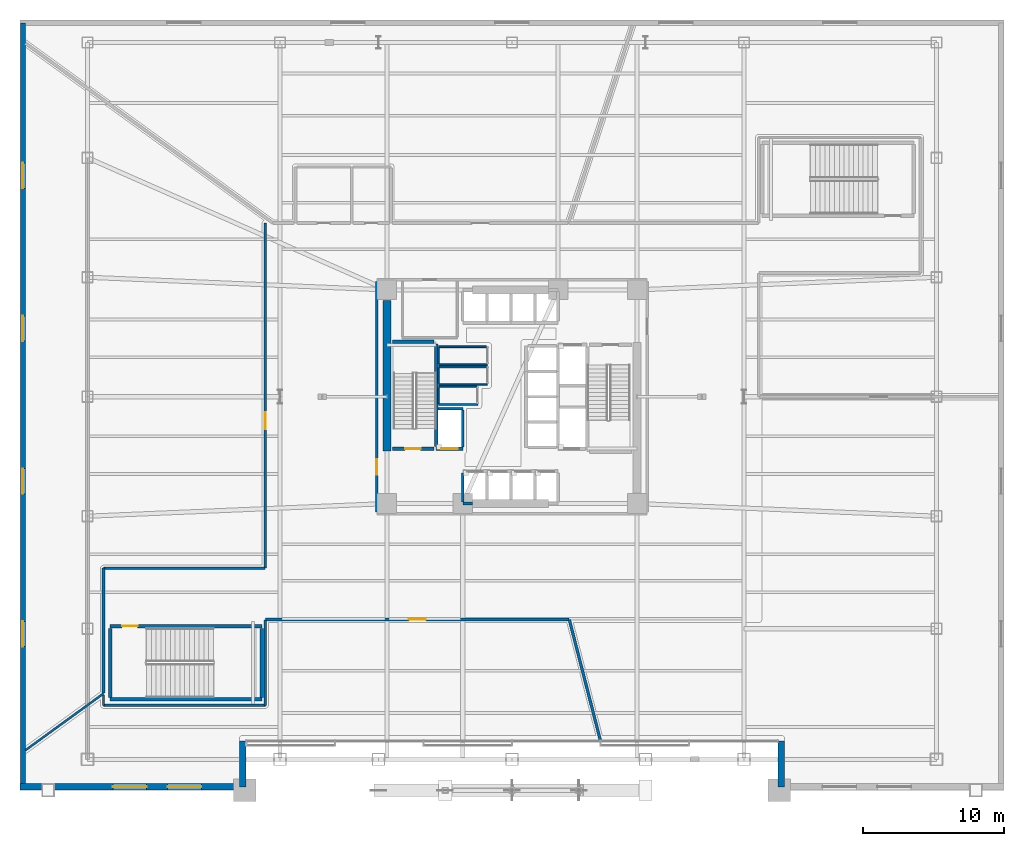
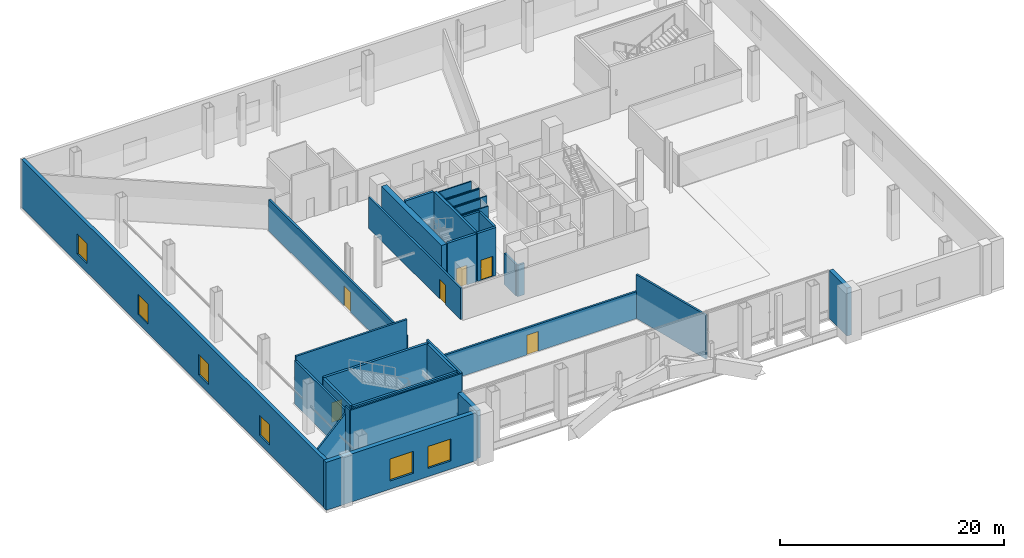
# One storey, part 8 of 19: 36 walls, 6 doors, 6 windows, 12 openings.
"""IFC4 building model written with IfcOpenShell, lengths in metres."""

from ifc_helpers import new_model, si_unit, direction, frame, frame_2d, origin, place, context, subcontext, project, spatial, rectangle, extrude, material, layer, layer_set, type_object, element, fill, save


model = new_model("IFC4")

# Units and contexts
model_context = context("Model", 3, precision=1e-05, world=origin(), true_north=direction((0.0, 1.0)))
body_context = subcontext(model_context, "Body", "Model", "MODEL_VIEW")
ifc_project = project(units=[si_unit("LENGTHUNIT", "METRE"), si_unit("AREAUNIT", "SQUARE_METRE"), si_unit("VOLUMEUNIT", "CUBIC_METRE"), si_unit("PLANEANGLEUNIT", "RADIAN"), si_unit("MASSUNIT", "GRAM", prefix="KILO")], contexts=[model_context])

# Site, building, storey
site_placement = place(None, origin())
site = spatial("IfcSite", under=ifc_project, at=site_placement, CompositionType="ELEMENT")
building_placement = place(site_placement, origin())
building = spatial("IfcBuilding", under=site, at=building_placement, Name="Tharavind Bronze Gate", CompositionType="ELEMENT")
storey_placement = place(building_placement, frame((0.0, 0.0, 11.0)))
storey = spatial("IfcBuildingStorey", under=building, at=storey_placement, Name="L02", CompositionType="ELEMENT", Elevation=11.0)

# Wall, openings, windows
ifc_material_1 = material(Name="Concrete C40/50", Category="concrete")
ifc_layer_1 = layer(ifc_material_1, 0.35009765625)
ifc_layer_set_1 = layer_set([ifc_layer_1], Name="Concrete C40/50")
wall_type_1 = type_object("IfcWallType", Name="EXTERIOR SPANDREL WALL 350", PredefinedType="STANDARD", material=ifc_layer_set_1)
wall_1_placement = place(storey_placement, frame((-34.800048828125, 26.60009765625, 0.0), z_axis=(0.0, 0.0, 1.0), x_axis=(0.0, -1.0, 0.0)))
wall_1 = element("IfcWall", 1, at=wall_1_placement, inside=storey, type_object=wall_type_1, Name="L02 podium west facade wall", PredefinedType="STANDARD", context=body_context, shape_type="SweptSolid", body=[
    extrude(rectangle(XDim=54.35009765625, YDim=0.35009765625, at=frame_2d((27.175048828125, 0.0))), origin(), (0.0, 0.0, 1.0), 5.239990234375),
])
opening_1_placement = place(wall_1_placement, frame((9.969970703125, 0.0, 0.949951171875)))
opening_1 = element("IfcOpeningElement", 2, at=opening_1_placement, cuts=wall_1, Name="Opening W02", PredefinedType="OPENING", context=body_context, shape_type="SweptSolid", body=[
    extrude(rectangle(XDim=1.800048828125, YDim=2.199951171875, at=frame_2d((0.89990234375, 1.10009765625))), frame((0.0, 0.185048828125, 0.0), z_axis=(0.0, -1.0, 0.0), x_axis=(1.0, 0.0, 0.0)), (0.0, 0.0, 1.0), 0.37009765625),
])
opening_2_placement = place(wall_1_placement, frame((20.840087890625, 0.0, 0.949951171875)))
opening_2 = element("IfcOpeningElement", 3, at=opening_2_placement, cuts=wall_1, Name="Opening W02", PredefinedType="OPENING", context=body_context, shape_type="SweptSolid", body=[
    extrude(rectangle(XDim=1.800048828125, YDim=2.199951171875, at=frame_2d((0.89990234375, 1.10009765625))), frame((0.0, 0.185048828125, 0.0), z_axis=(0.0, -1.0, 0.0), x_axis=(1.0, 0.0, 0.0)), (0.0, 0.0, 1.0), 0.37009765625),
])
opening_3_placement = place(wall_1_placement, frame((31.7099609375, 0.0, 0.949951171875)))
opening_3 = element("IfcOpeningElement", 4, at=opening_3_placement, cuts=wall_1, Name="Opening W02", PredefinedType="OPENING", context=body_context, shape_type="SweptSolid", body=[
    extrude(rectangle(XDim=1.800048828125, YDim=2.199951171875, at=frame_2d((0.89990234375, 1.10009765625))), frame((0.0, 0.185048828125, 0.0), z_axis=(0.0, -1.0, 0.0), x_axis=(1.0, 0.0, 0.0)), (0.0, 0.0, 1.0), 0.37009765625),
])
opening_4_placement = place(wall_1_placement, frame((42.580078125, 0.0, 0.949951171875)))
opening_4 = element("IfcOpeningElement", 5, at=opening_4_placement, cuts=wall_1, Name="Opening W02", PredefinedType="OPENING", context=body_context, shape_type="SweptSolid", body=[
    extrude(rectangle(XDim=1.800048828125, YDim=2.199951171875, at=frame_2d((0.89990234375, 1.10009765625))), frame((0.0, 0.185048828125, 0.0), z_axis=(0.0, -1.0, 0.0), x_axis=(1.0, 0.0, 0.0)), (0.0, 0.0, 1.0), 0.37009765625),
])
ifc_material_2 = material(Name="Bronze Aluminium & Low-E Glass", Category="aluminium")
window_type_1 = type_object("IfcWindowType", Name="DOUBLE PANEL BRONZE WINDOW 1800X2200", PartitioningType="DOUBLE_PANEL_VERTICAL", PredefinedType="WINDOW", material=ifc_material_2)
window_1_placement = place(opening_1_placement, origin())
window_1 = element("IfcWindow", 6, at=window_1_placement, inside=storey, type_object=window_type_1, Name="L02 exterior window WL-L02-WE-01", OverallHeight=2.199951171875, OverallWidth=1.800048828125, PartitioningType="SINGLE_PANEL", PredefinedType="WINDOW", context=body_context, shape_type="SweptSolid", body=[
    extrude(rectangle(XDim=1.800048828125, YDim=2.199951171875, at=frame_2d((0.89990234375, 1.10009765625))), frame((0.0, 0.030029296875, 0.0), z_axis=(0.0, -1.0, 0.0), x_axis=(1.0, 0.0, 0.0)), (0.0, 0.0, 1.0), 0.06005859375),
])
fill(opening_1, window_1)
window_2_placement = place(opening_2_placement, origin())
window_2 = element("IfcWindow", 7, at=window_2_placement, inside=storey, type_object=window_type_1, Name="L02 exterior window WL-L02-WE-02", OverallHeight=2.199951171875, OverallWidth=1.800048828125, PartitioningType="SINGLE_PANEL", PredefinedType="WINDOW", context=body_context, shape_type="SweptSolid", body=[
    extrude(rectangle(XDim=1.800048828125, YDim=2.199951171875, at=frame_2d((0.89990234375, 1.10009765625))), frame((0.0, 0.030029296875, 0.0), z_axis=(0.0, -1.0, 0.0), x_axis=(1.0, 0.0, 0.0)), (0.0, 0.0, 1.0), 0.06005859375),
])
fill(opening_2, window_2)
window_3_placement = place(opening_3_placement, origin())
window_3 = element("IfcWindow", 8, at=window_3_placement, inside=storey, type_object=window_type_1, Name="L02 exterior window WL-L02-WE-03", OverallHeight=2.199951171875, OverallWidth=1.800048828125, PartitioningType="SINGLE_PANEL", PredefinedType="WINDOW", context=body_context, shape_type="SweptSolid", body=[
    extrude(rectangle(XDim=1.800048828125, YDim=2.199951171875, at=frame_2d((0.89990234375, 1.10009765625))), frame((0.0, 0.030029296875, 0.0), z_axis=(0.0, -1.0, 0.0), x_axis=(1.0, 0.0, 0.0)), (0.0, 0.0, 1.0), 0.06005859375),
])
fill(opening_3, window_3)
window_4_placement = place(opening_4_placement, origin())
window_4 = element("IfcWindow", 9, at=window_4_placement, inside=storey, type_object=window_type_1, Name="L02 exterior window WL-L02-WE-04", OverallHeight=2.199951171875, OverallWidth=1.800048828125, PartitioningType="SINGLE_PANEL", PredefinedType="WINDOW", context=body_context, shape_type="SweptSolid", body=[
    extrude(rectangle(XDim=1.800048828125, YDim=2.199951171875, at=frame_2d((0.89990234375, 1.10009765625))), frame((0.0, 0.030029296875, 0.0), z_axis=(0.0, -1.0, 0.0), x_axis=(1.0, 0.0, 0.0)), (0.0, 0.0, 1.0), 0.06005859375),
])
fill(opening_4, window_4)

ifc_material_3 = material(Name="Concrete C50/60", Category="concrete")
ifc_layer_2 = layer(ifc_material_3, 0.449951171875)
ifc_layer_set_2 = layer_set([ifc_layer_2], Name="Concrete C50/60")
wall_type_2 = type_object("IfcWallType", Name="EXTERIOR SPANDREL WALL 450", PredefinedType="STANDARD", material=ifc_layer_set_2)
wall_2_placement = place(storey_placement, frame((-35.0, -27.75, 0.0), z_axis=(0.0, 0.0, 1.0), x_axis=(1.0, 0.0, 0.0)))
wall_2 = element("IfcWall", 10, at=wall_2_placement, inside=storey, type_object=wall_type_2, Name="L02 south portal west flank wall", PredefinedType="STANDARD", context=body_context, shape_type="SweptSolid", body=[
    extrude(rectangle(XDim=15.60009765625, YDim=0.449951171875, at=frame_2d((7.800048828125, 0.0))), origin(), (0.0, 0.0, 1.0), 5.239990234375),
])
opening_5_placement = place(wall_2_placement, frame((6.60009765625, 0.0, 0.89990234375)))
opening_5 = element("IfcOpeningElement", 11, at=opening_5_placement, cuts=wall_2, Name="Opening W03", PredefinedType="OPENING", context=body_context, shape_type="SweptSolid", body=[
    extrude(rectangle(XDim=2.39990234375, YDim=2.39990234375, at=frame_2d((1.199951171875, 1.199951171875))), frame((0.0, 0.23509765625, 0.0), z_axis=(0.0, -1.0, 0.0), x_axis=(1.0, 0.0, 0.0)), (0.0, 0.0, 1.0), 0.469951171875),
])
opening_6_placement = place(wall_2_placement, frame((10.5, 0.0, 0.89990234375)))
opening_6 = element("IfcOpeningElement", 12, at=opening_6_placement, cuts=wall_2, Name="Opening W03", PredefinedType="OPENING", context=body_context, shape_type="SweptSolid", body=[
    extrude(rectangle(XDim=2.39990234375, YDim=2.39990234375, at=frame_2d((1.199951171875, 1.199951171875))), frame((0.0, 0.23509765625, 0.0), z_axis=(0.0, -1.0, 0.0), x_axis=(1.0, 0.0, 0.0)), (0.0, 0.0, 1.0), 0.469951171875),
])
window_type_2 = type_object("IfcWindowType", Name="PODIUM RIBBON BRONZE WINDOW 2400X2400", PartitioningType="TRIPLE_PANEL_VERTICAL", PredefinedType="WINDOW", material=ifc_material_2)
window_5_placement = place(opening_5_placement, origin())
window_5 = element("IfcWindow", 13, at=window_5_placement, inside=storey, type_object=window_type_2, Name="L02 exterior window WL-L02-ARCHSL-02", OverallHeight=2.39990234375, OverallWidth=2.39990234375, PartitioningType="SINGLE_PANEL", PredefinedType="WINDOW", context=body_context, shape_type="SweptSolid", body=[
    extrude(rectangle(XDim=2.39990234375, YDim=2.39990234375, at=frame_2d((1.199951171875, 1.199951171875))), frame((0.0, 0.030029296875, 0.0), z_axis=(0.0, -1.0, 0.0), x_axis=(1.0, 0.0, 0.0)), (0.0, 0.0, 1.0), 0.06005859375),
])
fill(opening_5, window_5)
window_6_placement = place(opening_6_placement, origin())
window_6 = element("IfcWindow", 14, at=window_6_placement, inside=storey, type_object=window_type_2, Name="L02 exterior window WL-L02-ARCHSL-03", OverallHeight=2.39990234375, OverallWidth=2.39990234375, PartitioningType="SINGLE_PANEL", PredefinedType="WINDOW", context=body_context, shape_type="SweptSolid", body=[
    extrude(rectangle(XDim=2.39990234375, YDim=2.39990234375, at=frame_2d((1.199951171875, 1.199951171875))), frame((0.0, 0.030029296875, 0.0), z_axis=(0.0, -1.0, 0.0), x_axis=(1.0, 0.0, 0.0)), (0.0, 0.0, 1.0), 0.06005859375),
])
fill(opening_6, window_6)

# Walls
for number, where, z_axis, x_axis, name in (
    (15, (-19.14990234375, -27.75, 0.0), (0.0, 0.0, 1.0), (0.0, 1.0, 0.0), "L02 south arch west reveal wall"),
    (16, (19.14990234375, -24.5, 0.0), (0.0, 0.0, 1.0), (0.0, -1.0, 0.0), "L02 south arch east reveal wall"),
):
    element("IfcWall", number, at=place(storey_placement, frame(where, z_axis=z_axis, x_axis=x_axis)), inside=storey, type_object=wall_type_2, Name=name, PredefinedType="STANDARD", context=body_context, shape_type="SweptSolid", body=[
        extrude(rectangle(XDim=3.25, YDim=0.449951171875, at=frame_2d((1.625, 0.0))), origin(), (0.0, 0.0, 1.0), 5.239990234375),
    ])

# Wall, opening, door
ifc_material_4 = material(Name="Aerated Concrete Block", Category="concrete")
ifc_layer_3 = layer(ifc_material_4, 0.199951171875)
ifc_layer_set_3 = layer_set([ifc_layer_3], Name="Aerated Concrete Block")
wall_type_3 = type_object("IfcWallType", Name="FIRE RATED PARTITION 200", PredefinedType="PARTITIONING", material=ifc_layer_set_3)
wall_3_placement = place(storey_placement, frame((-9.6201171875, 8.199951171875, 0.0), z_axis=(0.0, 0.0, 1.0), x_axis=(0.0, -1.0, 0.0)))
wall_3 = element("IfcWall", 17, at=wall_3_placement, inside=storey, type_object=wall_type_3, Name="L02 west core corridor wall", PredefinedType="PARTITIONING", context=body_context, shape_type="SweptSolid", body=[
    extrude(rectangle(XDim=16.39990234375, YDim=0.199951171875, at=frame_2d((8.199951171875, 0.0))), origin(), (0.0, 0.0, 1.0), 3.43505859375),
])
opening_7_placement = place(wall_3_placement, frame((12.64990234375, 0.0, 0.0)))
opening_7 = element("IfcOpeningElement", 18, at=opening_7_placement, cuts=wall_3, Name="Opening ID01", PredefinedType="OPENING", context=body_context, shape_type="SweptSolid", body=[
    extrude(rectangle(XDim=1.10009765625, YDim=2.14990234375, at=frame_2d((0.550048828125, 1.074951171875))), frame((0.0, 0.11009765625, 0.0), z_axis=(0.0, -1.0, 0.0), x_axis=(1.0, 0.0, 0.0)), (0.0, 0.0, 1.0), 0.219951171875),
])
ifc_material_5 = material(Name="Fire-Rated Steel", Category="steel")
door_type_1 = type_object("IfcDoorType", Name="STAIR CORE FIRE DOOR 1100X2150", OperationType="SINGLE_SWING_LEFT", PredefinedType="DOOR", material=ifc_material_5)
door_1_placement = place(opening_7_placement, frame((1.10009765625, 0.0, 0.0), z_axis=(0.0, 0.0, 1.0), x_axis=(-1.0, 0.0, 0.0)))
door_1 = element("IfcDoor", 19, at=door_1_placement, inside=storey, type_object=door_type_1, Name="L02 south west stair lobby fire door", OperationType="SINGLE_SWING_LEFT", OverallHeight=2.14990234375, OverallWidth=1.10009765625, PredefinedType="DOOR", context=body_context, shape_type="SweptSolid", body=[
    extrude(rectangle(XDim=1.10009765625, YDim=2.14990234375, at=frame_2d((0.550048828125, 1.074951171875))), frame((0.0, 0.02490234375, 0.0), z_axis=(0.0, -1.0, 0.0), x_axis=(1.0, 0.0, 0.0)), (0.0, 0.0, 1.0), 0.050048828125),
])
fill(opening_7, door_1)

wall_4_placement = place(storey_placement, frame((-17.550048828125, 12.349365234375, 0.0), z_axis=(0.0, 0.0, 1.0), x_axis=(0.0, -1.0, 0.0)))
wall_4 = element("IfcWall", 20, at=wall_4_placement, inside=storey, type_object=wall_type_3, Name="L02 Conference Room North partition", PredefinedType="PARTITIONING", context=body_context, shape_type="SweptSolid", body=[
    extrude(rectangle(XDim=24.5244140625, YDim=0.199951171875, at=frame_2d((12.26220703125, 0.0))), origin(), (0.0, 0.0, 1.0), 3.43505859375),
])
opening_8_placement = place(wall_4_placement, frame((13.4619140625, 0.0, 0.0)))
opening_8 = element("IfcOpeningElement", 21, at=opening_8_placement, cuts=wall_4, Name="Opening ID05", PredefinedType="OPENING", context=body_context, shape_type="SweptSolid", body=[
    extrude(rectangle(XDim=1.199951171875, YDim=2.14990234375, at=frame_2d((0.60009765625, 1.074951171875))), frame((0.0, 0.11009765625, 0.0), z_axis=(0.0, -1.0, 0.0), x_axis=(1.0, 0.0, 0.0)), (0.0, 0.0, 1.0), 0.219951171875),
])
ifc_material_6 = material(Name="Acoustic Laminated Glass", Category="glass")
door_type_2 = type_object("IfcDoorType", Name="MEETING ROOM GLAZED DOOR 1200X2150", OperationType="SINGLE_SWING_LEFT", PredefinedType="DOOR", material=ifc_material_6)
door_2_placement = place(opening_8_placement, origin())
door_2 = element("IfcDoor", 22, at=door_2_placement, inside=storey, type_object=door_type_2, Name="L02 Conference Room North door", OperationType="SINGLE_SWING_LEFT", OverallHeight=2.14990234375, OverallWidth=1.199951171875, PredefinedType="DOOR", context=body_context, shape_type="SweptSolid", body=[
    extrude(rectangle(XDim=1.199951171875, YDim=2.14990234375, at=frame_2d((0.60009765625, 1.074951171875))), frame((0.0, 0.02490234375, 0.0), z_axis=(0.0, -1.0, 0.0), x_axis=(1.0, 0.0, 0.0)), (0.0, 0.0, 1.0), 0.050048828125),
])
fill(opening_8, door_2)

# Walls
wall_5_placement = place(storey_placement, frame((-17.574951171875, -12.199951171875, 0.0), z_axis=(0.0, 0.0, 1.0), x_axis=(-1.0, 0.0, 0.0)))
element("IfcWall", 23, at=wall_5_placement, inside=storey, type_object=wall_type_3, Name="L02 Conference Room North partition", PredefinedType="PARTITIONING", context=body_context, shape_type="SweptSolid", body=[
    extrude(rectangle(XDim=11.474365234375, YDim=0.199951171875, at=frame_2d((5.7373046875, 0.0))), origin(), (0.0, 0.0, 1.0), 5.239990234375),
])
wall_6_placement = place(storey_placement, frame((-29.050048828125, -12.20068359375, 0.0), z_axis=(0.0, 0.0, 1.0), x_axis=(0.0, -1.0, 0.0)))
element("IfcWall", 24, at=wall_6_placement, inside=storey, type_object=wall_type_3, Name="L02 Conference Room North partition", PredefinedType="PARTITIONING", context=body_context, shape_type="SweptSolid", body=[
    extrude(rectangle(XDim=8.892578125, YDim=0.199951171875, at=frame_2d((4.4462890625, 0.0))), origin(), (0.0, 0.0, 1.0), 4.784912109375),
])
wall_7_placement = place(storey_placement, frame((-17.550048828125, -21.949462890625, 0.0), z_axis=(0.0, 0.0, 1.0), x_axis=(0.0, 1.0, 0.0)))
element("IfcWall", 25, at=wall_7_placement, inside=storey, type_object=wall_type_3, Name="L02 Conference Room West partition", PredefinedType="PARTITIONING", context=body_context, shape_type="SweptSolid", body=[
    extrude(rectangle(XDim=6.074462890625, YDim=0.199951171875, at=frame_2d((3.037109375, 0.0))), origin(), (0.0, 0.0, 1.0), 5.239990234375),
])

# Wall, opening, door
wall_8_placement = place(storey_placement, frame((-17.52490234375, -15.85009765625, 0.0), z_axis=(0.0, 0.0, 1.0), x_axis=(1.0, 0.0, 0.0)))
wall_8 = element("IfcWall", 26, at=wall_8_placement, inside=storey, type_object=wall_type_3, Name="L02 Conference Room West partition", PredefinedType="PARTITIONING", context=body_context, shape_type="SweptSolid", body=[
    extrude(rectangle(XDim=21.5810546875, YDim=0.199951171875, at=frame_2d((10.79052734375, 0.0))), origin(), (0.0, 0.0, 1.0), 2.93505859375),
])
opening_9_placement = place(wall_8_placement, frame((10.19091796875, 0.0, 0.0)))
opening_9 = element("IfcOpeningElement", 27, at=opening_9_placement, cuts=wall_8, Name="Opening ID05", PredefinedType="OPENING", context=body_context, shape_type="SweptSolid", body=[
    extrude(rectangle(XDim=1.199951171875, YDim=2.14990234375, at=frame_2d((0.60009765625, 1.074951171875))), frame((0.0, 0.11009765625, 0.0), z_axis=(0.0, -1.0, 0.0), x_axis=(1.0, 0.0, 0.0)), (0.0, 0.0, 1.0), 0.219951171875),
])
door_3_placement = place(opening_9_placement, origin())
door_3 = element("IfcDoor", 28, at=door_3_placement, inside=storey, type_object=door_type_2, Name="L02 Conference Room West door", OperationType="SINGLE_SWING_LEFT", OverallHeight=2.14990234375, OverallWidth=1.199951171875, PredefinedType="DOOR", context=body_context, shape_type="SweptSolid", body=[
    extrude(rectangle(XDim=1.199951171875, YDim=2.14990234375, at=frame_2d((0.60009765625, 1.074951171875))), frame((0.0, 0.02490234375, 0.0), z_axis=(0.0, -1.0, 0.0), x_axis=(1.0, 0.0, 0.0)), (0.0, 0.0, 1.0), 0.050048828125),
])
fill(opening_9, door_3)

# Walls
wall_9_placement = place(storey_placement, frame((4.080322265625, -15.868896484375, 0.0), z_axis=(0.0, 0.0, 1.0), x_axis=(0.249021217136, -0.96849802964, 0.0)))
element("IfcWall", 29, at=wall_9_placement, inside=storey, type_object=wall_type_3, Name="L02 Conference Room West partition", PredefinedType="PARTITIONING", context=body_context, shape_type="SweptSolid", body=[
    extrude(rectangle(XDim=8.911865234375, YDim=0.199951171875, at=frame_2d((4.4560546875, 0.0))), origin(), (0.0, 0.0, 1.0), 4.784912109375),
])
ifc_material_7 = material(Name="Metal Stud Gypsum Partition", Category="gypsum")
ifc_layer_4 = layer(ifc_material_7, 0.1201171875)
ifc_layer_set_4 = layer_set([ifc_layer_4], Name="Metal Stud Gypsum Partition")
wall_type_4 = type_object("IfcWallType", Name="INTERIOR PARTITION WALL 120", PredefinedType="PARTITIONING", material=ifc_layer_set_4)
wall_10_placement = place(storey_placement, frame((-5.219970703125, 2.280029296875, 0.0), z_axis=(0.0, 0.0, 1.0), x_axis=(1.0, 0.0, 0.0)))
element("IfcWall", 30, at=wall_10_placement, inside=storey, type_object=wall_type_4, Name="L02 Housekeeping Linen Store partition 1", PredefinedType="PARTITIONING", context=body_context, shape_type="SweptSolid", body=[
    extrude(rectangle(XDim=3.469970703125, YDim=0.1201171875, at=frame_2d((1.73486328125, 0.0))), origin(), (0.0, 0.0, 1.0), 5.239990234375),
])
wall_11_placement = place(storey_placement, frame((-1.81494140625, 3.550048828125, 0.0), z_axis=(0.0, 0.0, 1.0), x_axis=(-1.0, 0.0, 0.0)))
element("IfcWall", 31, at=wall_11_placement, inside=storey, type_object=wall_type_4, Name="L02 Housekeeping Linen Store partition 3", PredefinedType="PARTITIONING", context=body_context, shape_type="SweptSolid", body=[
    extrude(rectangle(XDim=3.405029296875, YDim=0.1201171875, at=frame_2d((1.70263671875, 0.0))), origin(), (0.0, 0.0, 1.0), 5.239990234375),
])
wall_12_placement = place(storey_placement, frame((-5.219970703125, 3.485107421875, 0.0), z_axis=(0.0, 0.0, 1.0), x_axis=(0.0, -1.0, 0.0)))
element("IfcWall", 32, at=wall_12_placement, inside=storey, type_object=wall_type_4, Name="L02 Housekeeping Linen Store partition 4", PredefinedType="PARTITIONING", context=body_context, shape_type="SweptSolid", body=[
    extrude(rectangle(XDim=1.14013671875, YDim=0.1201171875, at=frame_2d((0.570068359375, 0.0))), origin(), (0.0, 0.0, 1.0), 5.239990234375),
])
wall_13_placement = place(storey_placement, frame((-5.219970703125, 0.8798828125, 0.0), z_axis=(0.0, 0.0, 1.0), x_axis=(1.0, 0.0, 0.0)))
element("IfcWall", 33, at=wall_13_placement, inside=storey, type_object=wall_type_4, Name="L02 Comms Data Room partition 1", PredefinedType="PARTITIONING", context=body_context, shape_type="SweptSolid", body=[
    extrude(rectangle(XDim=3.469970703125, YDim=0.1201171875, at=frame_2d((1.73486328125, 0.0))), origin(), (0.0, 0.0, 1.0), 5.239990234375),
])
wall_14_placement = place(storey_placement, frame((-1.81494140625, 2.1201171875, 0.0), z_axis=(0.0, 0.0, 1.0), x_axis=(-1.0, 0.0, 0.0)))
element("IfcWall", 34, at=wall_14_placement, inside=storey, type_object=wall_type_4, Name="L02 Comms Data Room partition 3", PredefinedType="PARTITIONING", context=body_context, shape_type="SweptSolid", body=[
    extrude(rectangle(XDim=3.405029296875, YDim=0.1201171875, at=frame_2d((1.70263671875, 0.0))), origin(), (0.0, 0.0, 1.0), 5.239990234375),
])
wall_15_placement = place(storey_placement, frame((-5.219970703125, 2.054931640625, 0.0), z_axis=(0.0, 0.0, 1.0), x_axis=(0.0, -1.0, 0.0)))
element("IfcWall", 35, at=wall_15_placement, inside=storey, type_object=wall_type_4, Name="L02 Comms Data Room partition 4", PredefinedType="PARTITIONING", context=body_context, shape_type="SweptSolid", body=[
    extrude(rectangle(XDim=1.10986328125, YDim=0.1201171875, at=frame_2d((0.554931640625, 0.0))), origin(), (0.0, 0.0, 1.0), 5.239990234375),
])
wall_16_placement = place(storey_placement, frame((-5.219970703125, -0.550048828125, 0.0), z_axis=(0.0, 0.0, 1.0), x_axis=(1.0, 0.0, 0.0)))
element("IfcWall", 36, at=wall_16_placement, inside=storey, type_object=wall_type_4, Name="L02 Electrical Metering Store partition 1", PredefinedType="PARTITIONING", context=body_context, shape_type="SweptSolid", body=[
    extrude(rectangle(XDim=2.77001953125, YDim=0.1201171875, at=frame_2d((1.385009765625, 0.0))), origin(), (0.0, 0.0, 1.0), 5.239990234375),
])
wall_17_placement = place(storey_placement, frame((-2.514892578125, 0.719970703125, 0.0), z_axis=(0.0, 0.0, 1.0), x_axis=(-1.0, 0.0, 0.0)))
element("IfcWall", 37, at=wall_17_placement, inside=storey, type_object=wall_type_4, Name="L02 Electrical Metering Store partition 3", PredefinedType="PARTITIONING", context=body_context, shape_type="SweptSolid", body=[
    extrude(rectangle(XDim=2.705078125, YDim=0.1201171875, at=frame_2d((1.3525390625, 0.0))), origin(), (0.0, 0.0, 1.0), 5.239990234375),
])
wall_18_placement = place(storey_placement, frame((-5.219970703125, 0.655029296875, 0.0), z_axis=(0.0, 0.0, 1.0), x_axis=(0.0, -1.0, 0.0)))
element("IfcWall", 38, at=wall_18_placement, inside=storey, type_object=wall_type_4, Name="L02 Electrical Metering Store partition 4", PredefinedType="PARTITIONING", context=body_context, shape_type="SweptSolid", body=[
    extrude(rectangle(XDim=1.14013671875, YDim=0.1201171875, at=frame_2d((0.570068359375, 0.0))), origin(), (0.0, 0.0, 1.0), 5.239990234375),
])
ifc_material_8 = material(Name="Twin Stud Acoustic Gypsum", Category="gypsum")
ifc_layer_5 = layer(ifc_material_8, 0.14990234375)
ifc_layer_set_5 = layer_set([ifc_layer_5], Name="Twin Stud Acoustic Gypsum")
wall_type_5 = type_object("IfcWallType", Name="INTERIOR PARTITION WALL 150", PredefinedType="PARTITIONING", material=ifc_layer_set_5)
wall_19_placement = place(storey_placement, frame((-29.060302734375, -21.113525390625, 0.0), z_axis=(0.0, 0.0, 1.0), x_axis=(-0.809026336195, -0.587772394166, 0.0)))
element("IfcWall", 39, at=wall_19_placement, inside=storey, type_object=wall_type_5, Name="L02 Conference Room North partition", PredefinedType="PARTITIONING", context=body_context, shape_type="SweptSolid", body=[
    extrude(rectangle(XDim=6.872314453125, YDim=0.14990234375, at=frame_2d((3.43603515625, 0.0))), origin(), (0.0, 0.0, 1.0), 4.43505859375),
])
wall_20_placement = place(storey_placement, frame((-29.04931640625, -21.949951171875, 0.0), z_axis=(0.0, 0.0, 1.0), x_axis=(1.0, 0.0, 0.0)))
element("IfcWall", 40, at=wall_20_placement, inside=storey, type_object=wall_type_5, Name="L02 Conference Room West partition", PredefinedType="PARTITIONING", context=body_context, shape_type="SweptSolid", body=[
    extrude(rectangle(XDim=11.498779296875, YDim=0.14990234375, at=frame_2d((5.74951171875, 0.0))), origin(), (0.0, 0.0, 1.0), 5.239990234375),
])
wall_21_placement = place(storey_placement, frame((-29.050048828125, -21.204833984375, 0.0), z_axis=(0.0, 0.0, 1.0), x_axis=(0.0, -1.0, 0.0)))
element("IfcWall", 41, at=wall_21_placement, inside=storey, type_object=wall_type_5, Name="L02 Conference Room West partition", PredefinedType="PARTITIONING", context=body_context, shape_type="SweptSolid", body=[
    extrude(rectangle(XDim=0.74462890625, YDim=0.14990234375, at=frame_2d((0.372314453125, 0.0))), origin(), (0.0, 0.0, 1.0), 5.239990234375),
])
ifc_layer_6 = layer(ifc_material_3, 0.25)
ifc_layer_set_6 = layer_set([ifc_layer_6], Name="Concrete C50/60")
wall_type_6 = type_object("IfcWallType", Name="RC CORE SHEAR WALL 250", PredefinedType="SHEAR", material=ifc_layer_set_6)
wall_22_placement = place(storey_placement, frame((-5.39990234375, -3.550048828125, 0.0), z_axis=(0.0, 0.0, 1.0), x_axis=(0.0, 1.0, 0.0)))
element("IfcWall", 42, at=wall_22_placement, inside=storey, type_object=wall_type_6, Name="L02 ST1 shaft east wall", PredefinedType="SHEAR", context=body_context, shape_type="SweptSolid", body=[
    extrude(rectangle(XDim=7.300048828125, YDim=0.25, at=frame_2d((3.64990234375, 0.0))), origin(), (0.0, 0.0, 1.0), 5.239990234375),
])

# Wall, opening, door
wall_23_placement = place(storey_placement, frame((-8.5, -3.699951171875, 0.0), z_axis=(0.0, 0.0, 1.0), x_axis=(1.0, 0.0, 0.0)))
wall_23 = element("IfcWall", 43, at=wall_23_placement, inside=storey, type_object=wall_type_6, Name="L02 ST1 shaft south wall", PredefinedType="SHEAR", context=body_context, shape_type="SweptSolid", body=[
    extrude(rectangle(XDim=2.949951171875, YDim=0.25, at=frame_2d((1.47509765625, 0.0))), origin(), (0.0, 0.0, 1.0), 5.239990234375),
])
opening_10_placement = place(wall_23_placement, frame((0.89990234375, 0.0, 0.0)))
opening_10 = element("IfcOpeningElement", 44, at=opening_10_placement, cuts=wall_23, Name="Opening ID01", PredefinedType="OPENING", context=body_context, shape_type="SweptSolid", body=[
    extrude(rectangle(XDim=1.10009765625, YDim=2.14990234375, at=frame_2d((0.550048828125, 1.074951171875))), frame((0.0, 0.135, 0.0), z_axis=(0.0, -1.0, 0.0), x_axis=(1.0, 0.0, 0.0)), (0.0, 0.0, 1.0), 0.27),
])
door_4_placement = place(opening_10_placement, origin())
door_4 = element("IfcDoor", 45, at=door_4_placement, inside=storey, type_object=door_type_1, Name="L02 exit stair ST1 fire door", OperationType="SINGLE_SWING_LEFT", OverallHeight=2.14990234375, OverallWidth=1.10009765625, PredefinedType="DOOR", context=body_context, shape_type="SweptSolid", body=[
    extrude(rectangle(XDim=1.10009765625, YDim=2.14990234375, at=frame_2d((0.550048828125, 1.074951171875))), frame((0.0, 0.02490234375, 0.0), z_axis=(0.0, -1.0, 0.0), x_axis=(1.0, 0.0, 0.0)), (0.0, 0.0, 1.0), 0.050048828125),
])
fill(opening_10, door_4)

# Wall
wall_24_placement = place(storey_placement, frame((-8.5, 3.89990234375, 0.0), z_axis=(0.0, 0.0, 1.0), x_axis=(1.0, 0.0, 0.0)))
element("IfcWall", 46, at=wall_24_placement, inside=storey, type_object=wall_type_6, Name="L02 ST1 shaft north wall", PredefinedType="SHEAR", context=body_context, shape_type="SweptSolid", body=[
    extrude(rectangle(XDim=2.949951171875, YDim=0.25, at=frame_2d((1.47509765625, 0.0))), origin(), (0.0, 0.0, 1.0), 5.239990234375),
])

# Wall, opening, door
wall_25_placement = place(storey_placement, frame((-28.580078125, -16.320068359375, 0.0), z_axis=(0.0, 0.0, 1.0), x_axis=(1.0, 0.0, 0.0)))
wall_25 = element("IfcWall", 47, at=wall_25_placement, inside=storey, type_object=wall_type_6, Name="L02 ST3 north wall", PredefinedType="SHEAR", context=body_context, shape_type="SweptSolid", body=[
    extrude(rectangle(XDim=10.780029296875, YDim=0.25, at=frame_2d((5.39013671875, 0.0))), origin(), (0.0, 0.0, 1.0), 5.239990234375),
])
opening_11_placement = place(wall_25_placement, frame((0.85009765625, 0.0, 0.0)))
opening_11 = element("IfcOpeningElement", 48, at=opening_11_placement, cuts=wall_25, Name="Opening ID01", PredefinedType="OPENING", context=body_context, shape_type="SweptSolid", body=[
    extrude(rectangle(XDim=1.10009765625, YDim=2.14990234375, at=frame_2d((0.550048828125, 1.074951171875))), frame((0.0, 0.135, 0.0), z_axis=(0.0, -1.0, 0.0), x_axis=(1.0, 0.0, 0.0)), (0.0, 0.0, 1.0), 0.27),
])
door_5_placement = place(opening_11_placement, frame((1.10009765625, 0.0, 0.0), z_axis=(0.0, 0.0, 1.0), x_axis=(-1.0, 0.0, 0.0)))
door_5 = element("IfcDoor", 49, at=door_5_placement, inside=storey, type_object=door_type_1, Name="L02 podium stair ST3 fire door", OperationType="SINGLE_SWING_LEFT", OverallHeight=2.14990234375, OverallWidth=1.10009765625, PredefinedType="DOOR", context=body_context, shape_type="SweptSolid", body=[
    extrude(rectangle(XDim=1.10009765625, YDim=2.14990234375, at=frame_2d((0.550048828125, 1.074951171875))), frame((0.0, 0.02490234375, 0.0), z_axis=(0.0, -1.0, 0.0), x_axis=(1.0, 0.0, 0.0)), (0.0, 0.0, 1.0), 0.050048828125),
])
fill(opening_11, door_5)

# Walls
wall_26_placement = place(storey_placement, frame((-28.580078125, -21.530029296875, 0.0), z_axis=(0.0, 0.0, 1.0), x_axis=(1.0, 0.0, 0.0)))
element("IfcWall", 50, at=wall_26_placement, inside=storey, type_object=wall_type_6, Name="L02 ST3 south wall", PredefinedType="SHEAR", context=body_context, shape_type="SweptSolid", body=[
    extrude(rectangle(XDim=10.780029296875, YDim=0.25, at=frame_2d((5.39013671875, 0.0))), origin(), (0.0, 0.0, 1.0), 5.239990234375),
])
for number, where, z_axis, x_axis, name in (
    (51, (-28.580078125, -21.3798828125, 0.0), (0.0, 0.0, 1.0), (0.0, 1.0, 0.0), "L02 ST3 west wall"),
    (52, (-17.800048828125, -21.3798828125, 0.0), (0.0, 0.0, 1.0), (0.0, 1.0, 0.0), "L02 ST3 east wall"),
):
    element("IfcWall", number, at=place(storey_placement, frame(where, z_axis=z_axis, x_axis=x_axis)), inside=storey, type_object=wall_type_6, Name=name, PredefinedType="SHEAR", context=body_context, shape_type="SweptSolid", body=[
        extrude(rectangle(XDim=4.909912109375, YDim=0.25, at=frame_2d((2.455078125, 0.0))), origin(), (0.0, 0.0, 1.0), 5.239990234375),
    ])

# Wall, opening, door
wall_27_placement = place(storey_placement, frame((-5.39990234375, -3.699951171875, 0.0), z_axis=(0.0, 0.0, 1.0), x_axis=(1.0, 0.0, 0.0)))
wall_27 = element("IfcWall", 53, at=wall_27_placement, inside=storey, type_object=wall_type_6, Name="L02 lift FFL1 shaft front wall", PredefinedType="SHEAR", context=body_context, shape_type="SweptSolid", body=[
    extrude(rectangle(XDim=1.89990234375, YDim=0.25, at=frame_2d((0.949951171875, 0.0))), origin(), (0.0, 0.0, 1.0), 5.239990234375),
])
opening_12_placement = place(wall_27_placement, frame((0.35009765625, 0.0, 0.0)))
opening_12 = element("IfcOpeningElement", 54, at=opening_12_placement, cuts=wall_27, Name="Opening LD02", PredefinedType="OPENING", context=body_context, shape_type="SweptSolid", body=[
    extrude(rectangle(XDim=1.199951171875, YDim=2.199951171875, at=frame_2d((0.60009765625, 1.10009765625))), frame((0.0, 0.135, 0.0), z_axis=(0.0, -1.0, 0.0), x_axis=(1.0, 0.0, 0.0)), (0.0, 0.0, 1.0), 0.27),
])
ifc_material_9 = material(Name="Brushed Stainless Steel", Category="steel")
door_type_3 = type_object("IfcDoorType", Name="FIREFIGHTING LIFT LANDING DOOR 1200X2200", OperationType="SLIDING_TO_RIGHT", PredefinedType="DOOR", material=ifc_material_9)
door_6_placement = place(opening_12_placement, origin())
door_6 = element("IfcDoor", 55, at=door_6_placement, inside=storey, type_object=door_type_3, Name="L02 lift FFL1 sliding landing door", OperationType="SLIDING_TO_RIGHT", OverallHeight=2.199951171875, OverallWidth=1.199951171875, PredefinedType="DOOR", context=body_context, shape_type="SweptSolid", body=[
    extrude(rectangle(XDim=1.199951171875, YDim=2.199951171875, at=frame_2d((0.60009765625, 1.10009765625))), frame((0.0, 0.02490234375, 0.0), z_axis=(0.0, -1.0, 0.0), x_axis=(1.0, 0.0, 0.0)), (0.0, 0.0, 1.0), 0.050048828125),
])
fill(opening_12, door_6)

# Walls
ifc_material_10 = material(Name="Concrete C60/75", Category="concrete")
ifc_layer_7 = layer(ifc_material_10, 0.550048828125)
ifc_layer_set_7 = layer_set([ifc_layer_7], Name="Concrete C60/75")
wall_type_7 = type_object("IfcWallType", Name="RC CORE SHEAR WALL 550", PredefinedType="SHEAR", material=ifc_layer_set_7)
wall_28_placement = place(storey_placement, frame((-8.89990234375, -3.85009765625, 0.0), z_axis=(0.0, 0.0, 1.0), x_axis=(0.0, 1.0, 0.0)))
element("IfcWall", 56, at=wall_28_placement, inside=storey, type_object=wall_type_7, Name="L02 west core shear wall", PredefinedType="SHEAR", context=body_context, shape_type="SweptSolid", body=[
    extrude(rectangle(XDim=10.7001953125, YDim=0.550048828125, at=frame_2d((5.35009765625, 0.0))), origin(), (0.0, 0.0, 1.0), 5.239990234375),
])
ifc_layer_8 = layer(ifc_material_1, 0.199951171875)
ifc_layer_set_8 = layer_set([ifc_layer_8], Name="Concrete C40/50")
wall_type_8 = type_object("IfcWallType", Name="SHAFT ENCLOSURE WALL 200", PredefinedType="PARTITIONING", material=ifc_layer_set_8)
wall_29_placement = place(storey_placement, frame((-3.5, -7.60009765625, 0.0), z_axis=(0.0, 0.0, 1.0), x_axis=(1.0, 0.0, 0.0)))
element("IfcWall", 57, at=wall_29_placement, inside=storey, type_object=wall_type_8, Name="L02 lift PL1 shaft S enclosure wall", PredefinedType="PARTITIONING", context=body_context, shape_type="SweptSolid", body=[
    extrude(rectangle(XDim=0.699951171875, YDim=0.199951171875, at=frame_2d((0.35009765625, 0.0))), origin(), (0.0, 0.0, 1.0), 3.43505859375),
])
wall_30_placement = place(storey_placement, frame((-3.5, -7.4951171875, 0.0), z_axis=(0.0, 0.0, 1.0), x_axis=(0.0, 1.0, 0.0)))
element("IfcWall", 58, at=wall_30_placement, inside=storey, type_object=wall_type_8, Name="L02 lift PL1 shaft W enclosure wall", PredefinedType="PARTITIONING", context=body_context, shape_type="SweptSolid", body=[
    extrude(rectangle(XDim=2.065185546875, YDim=0.199951171875, at=frame_2d((1.03271484375, 0.0))), origin(), (0.0, 0.0, 1.0), 3.43505859375),
])
wall_31_placement = place(storey_placement, frame((-5.27001953125, -0.85009765625, 0.0), z_axis=(0.0, 0.0, 1.0), x_axis=(1.0, 0.0, 0.0)))
element("IfcWall", 59, at=wall_31_placement, inside=storey, type_object=wall_type_8, Name="L02 lift FFL1 shaft N enclosure wall", PredefinedType="PARTITIONING", context=body_context, shape_type="SweptSolid", body=[
    extrude(rectangle(XDim=1.77001953125, YDim=0.199951171875, at=frame_2d((0.885009765625, 0.0))), origin(), (0.0, 0.0, 1.0), 5.239990234375),
])
wall_32_placement = place(storey_placement, frame((-3.5, -3.570068359375, 0.0), z_axis=(0.0, 0.0, 1.0), x_axis=(0.0, 1.0, 0.0)))
element("IfcWall", 60, at=wall_32_placement, inside=storey, type_object=wall_type_8, Name="L02 lift FFL1 shaft E enclosure wall", PredefinedType="PARTITIONING", context=body_context, shape_type="SweptSolid", body=[
    extrude(rectangle(XDim=2.614990234375, YDim=0.199951171875, at=frame_2d((1.3076171875, 0.0))), origin(), (0.0, 0.0, 1.0), 5.239990234375),
])

save(model, "model.ifc")
